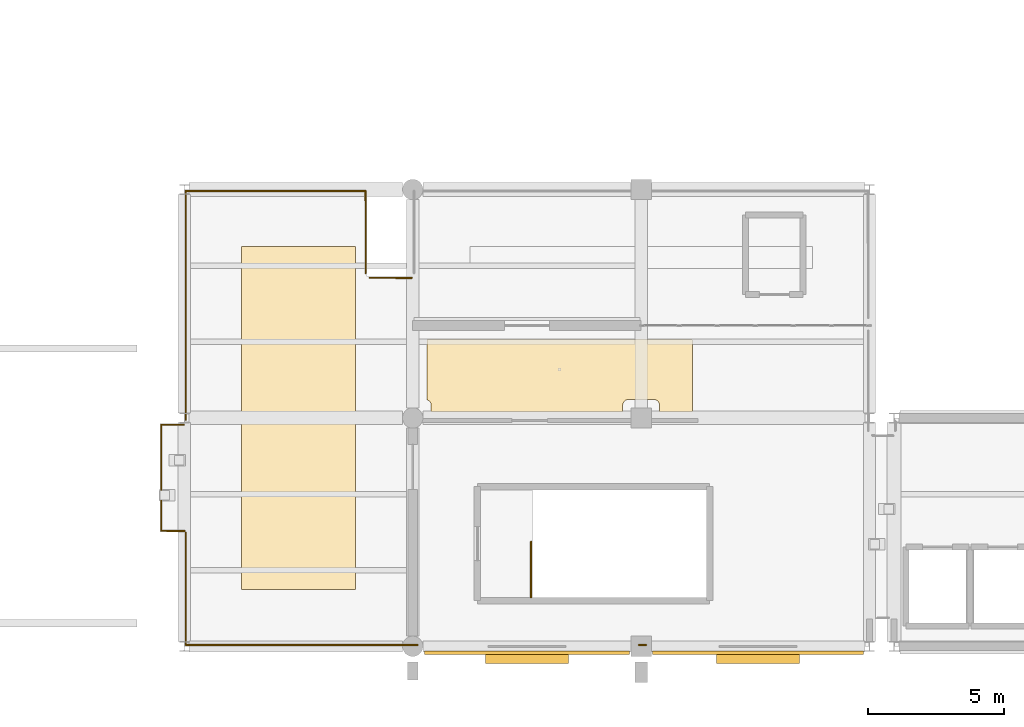
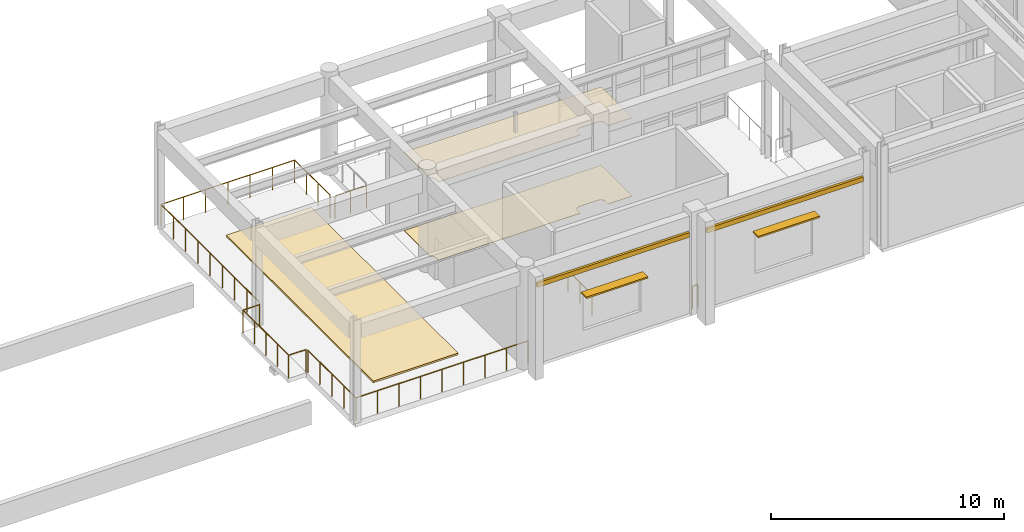
# One storey, part 72 of 80: 11 railings, 5 coverings, 2 shading devices.
"""IFC4 building model written with IfcOpenShell, lengths in metres."""

import ifcopenshell
import ifcopenshell.guid

model = None  # the IFC model being written
_history = None  # IfcOwnerHistory: only IFC2X3 demands one
_inside = {}  # id of a spatial element -> (the spatial element, [elements in it])
_under = {}  # id of a project, library or spatial element -> (it, [spatial elements below it])
_declared = {}  # id of a project -> (the project, [libraries it declares])
_typed = {}  # id of a type object -> (the type object, [elements of that type])
_made_of = {}  # id of a material, layer set ... -> (it, [elements and type objects made of it])


def new_model(schema):
    """Start an empty IFC model of exactly this schema.

    Asked for "IFC4X3", IfcOpenShell would pick the latest addendum, in which some entities
    have other attributes; the version numbers below select the first issue.
    IFC2X3 requires an IfcOwnerHistory on every rooted entity: one is made here for all.
    """
    global model, _history
    if schema == "IFC4X3":
        model = ifcopenshell.file(schema_version=(4, 3, 0, 0))
    else:
        model = ifcopenshell.file(schema=schema)
    _inside.clear()
    _under.clear()
    _declared.clear()
    _typed.clear()
    _made_of.clear()
    _history = None
    if model.schema == "IFC2X3":
        org = make("IfcOrganization", Name="unknown")
        user = make(
            "IfcPersonAndOrganization",
            ThePerson=make("IfcPerson", FamilyName="unknown"),
            TheOrganization=org,
        )
        app = make(
            "IfcApplication",
            ApplicationDeveloper=org,
            Version="unknown",
            ApplicationFullName="unknown",
            ApplicationIdentifier="unknown",
        )
        _history = make(
            "IfcOwnerHistory",
            OwningUser=user,
            OwningApplication=app,
            ChangeAction="ADDED",
            CreationDate=0,
        )
    return model


def make(cls, **values):
    """One entity of the class cls with the attributes given. An attribute that is None is left unset."""
    return model.create_entity(
        cls, **{name: value for name, value in values.items() if value is not None}
    )


def rooted(cls, **values):
    """An entity with a GlobalId (a new one), such as an element, a storey or a relation."""
    return make(cls, GlobalId=ifcopenshell.guid.new(), OwnerHistory=_history, **values)


def si_unit(unit_type, name, prefix=None):
    """IfcSIUnit, for example si_unit("LENGTHUNIT", "METRE", prefix="MILLI")."""
    return make("IfcSIUnit", UnitType=unit_type, Prefix=prefix, Name=name)


def assignment(units):
    """IfcUnitAssignment: the units of a project."""
    return None if units is None else make("IfcUnitAssignment", Units=units)


def point(xyz):
    """IfcCartesianPoint."""
    return None if xyz is None else make("IfcCartesianPoint", Coordinates=xyz)


def direction(xyz):
    """IfcDirection."""
    return None if xyz is None else make("IfcDirection", DirectionRatios=xyz)


def frame(location, z_axis=None, x_axis=None):
    """IfcAxis2Placement3D, a coordinate frame: its origin and axes. An axis left out is left unset."""
    return make(
        "IfcAxis2Placement3D",
        Location=point(location),
        Axis=direction(z_axis),
        RefDirection=direction(x_axis),
    )


def frame_2d(location, x_axis=None):
    """IfcAxis2Placement2D, a coordinate frame in the plane: its origin and x axis."""
    return make(
        "IfcAxis2Placement2D", Location=point(location), RefDirection=direction(x_axis)
    )


def origin():
    """The frame at (0, 0, 0) with its axes left unset."""
    return frame((0.0, 0.0, 0.0))


def origin_2d():
    """The frame at (0, 0) in the plane with its x axis left unset."""
    return frame_2d((0.0, 0.0))


def place(relative_to, where):
    """IfcLocalPlacement: puts the frame where relative to a parent placement (None: the world)."""
    return make(
        "IfcLocalPlacement", PlacementRelTo=relative_to, RelativePlacement=where
    )


def context(
    kind, dimensions, precision=None, world=None, true_north=None, identifier=None
):
    """IfcGeometricRepresentationContext, for example the 3D "Model" context."""
    return make(
        "IfcGeometricRepresentationContext",
        ContextIdentifier=identifier,
        ContextType=kind,
        CoordinateSpaceDimension=dimensions,
        Precision=precision,
        WorldCoordinateSystem=world,
        TrueNorth=true_north,
    )


def subcontext(parent, identifier, kind, view, scale=None):
    """IfcGeometricRepresentationSubContext, for example "Body" below "Model"."""
    return make(
        "IfcGeometricRepresentationSubContext",
        ContextIdentifier=identifier,
        ContextType=kind,
        ParentContext=parent,
        TargetScale=scale,
        TargetView=view,
    )


def project(units=None, contexts=None):
    """IfcProject with its units and contexts."""
    return rooted(
        "IfcProject",
        Name="project",
        RepresentationContexts=contexts,
        UnitsInContext=assignment(units),
    )


def spatial(cls, under=None, at=None, **own):
    """A site, building, storey or space (cls), placed at a placement, below another one or the project."""
    s = rooted(cls, ObjectPlacement=at, **own)
    if under is not None:
        _under.setdefault(under.id(), (under, []))[1].append(s)
    return s


def polyline(points):
    """IfcPolyline through the points."""
    return make("IfcPolyline", Points=[point(p) for p in points])


def profile(cls, at=None, kind="AREA", **sizes):
    """A parametric profile (cls). Its sizes go by their IFC names, for example OverallWidth=200.0."""
    return make(cls, ProfileType=kind, Position=at, **sizes)


def rectangle(**sizes):
    """IfcRectangleProfileDef."""
    return profile("IfcRectangleProfileDef", **sizes)


def circle(**sizes):
    """IfcCircleProfileDef."""
    return profile("IfcCircleProfileDef", **sizes)


def outline(outer, holes=None, kind="AREA"):
    """IfcArbitraryClosedProfileDef: a profile drawn as a closed curve; with holes, ...WithVoids."""
    if holes is None:
        return make("IfcArbitraryClosedProfileDef", ProfileType=kind, OuterCurve=outer)
    return make(
        "IfcArbitraryProfileDefWithVoids",
        ProfileType=kind,
        OuterCurve=outer,
        InnerCurves=holes,
    )


def extrude(swept, where, along, depth):
    """IfcExtrudedAreaSolid: the profile swept, set in the frame where, extruded along a direction by depth."""
    return make(
        "IfcExtrudedAreaSolid",
        SweptArea=swept,
        Position=where,
        ExtrudedDirection=direction(along),
        Depth=depth,
    )


def shape(context_of_items, identifier, shape_type, items):
    """IfcShapeRepresentation: the items that make up one representation, for example the "Body"."""
    return make(
        "IfcShapeRepresentation",
        ContextOfItems=context_of_items,
        RepresentationIdentifier=identifier,
        RepresentationType=shape_type,
        Items=items,
    )


def material(Name=None, Category=None):
    """IfcMaterial."""
    return make("IfcMaterial", Name=Name, Category=Category)


def layer(
    of_material, thickness, ventilated=None, Name=None, Category=None, Priority=None
):
    """IfcMaterialLayer: one layer of a wall or slab, of a material (None: an air gap)."""
    return make(
        "IfcMaterialLayer",
        Material=of_material,
        LayerThickness=thickness,
        IsVentilated=ventilated,
        Name=Name,
        Category=Category,
        Priority=Priority,
    )


def layer_set(layers, Name=None):
    """IfcMaterialLayerSet."""
    return make("IfcMaterialLayerSet", MaterialLayers=layers, LayerSetName=Name)


def made_of(thing, what):
    """Note that an element or type object is made of a material, layer set ...; save() writes the relation."""
    if what is not None:
        _made_of.setdefault(what.id(), (what, []))[1].append(thing)
    return thing


def type_object(cls, material=None, **own):
    """A type object (cls), such as IfcWallType, which elements share."""
    return made_of(rooted(cls, **own), material)


def element(
    cls,
    number,
    at=None,
    inside=None,
    cuts=None,
    type_object=None,
    material=None,
    context=None,
    identifier="Body",
    shape_type=None,
    held_by="IfcProductDefinitionShape",
    body=None,
    shapes=None,
    **own,
):
    """One element of the class cls, such as IfcWall. Its Tag is "e" and its number.

    at: its placement. inside: the storey or other place that contains it. cuts: it is an
    opening in that element (IfcRelVoidsElement). A single representation is given by context,
    identifier, shape_type and body (its items); several are given by shapes. held_by: the class
    of the entity that holds the representations. save() writes the other relations.
    """
    e = rooted(cls, Tag="e%d" % number, ObjectPlacement=at, **own)
    if body is not None:
        shapes = [shape(context, identifier, shape_type, body)]
    if shapes is not None:
        e.Representation = make(held_by, Representations=shapes)
    if inside is not None:
        _inside.setdefault(inside.id(), (inside, []))[1].append(e)
    if cuts is not None:
        rooted(
            "IfcRelVoidsElement", RelatingBuildingElement=cuts, RelatedOpeningElement=e
        )
    if type_object is not None:
        _typed.setdefault(type_object.id(), (type_object, []))[1].append(e)
    return made_of(e, material)


def aggregate(whole, parts):
    """IfcRelAggregates: a whole, such as a stair, and the parts it consists of."""
    return rooted("IfcRelAggregates", RelatingObject=whole, RelatedObjects=parts)


def save(model, path):
    """Write the relations noted so far, then the file.

    IfcRelAggregates (storeys below a building ...), IfcRelContainedInSpatialStructure (elements
    in a storey), IfcRelDefinesByType, IfcRelAssociatesMaterial and IfcRelDeclares: one each for
    every whole, place, type object, material and project.
    """
    for whole, parts in _under.values():
        aggregate(whole, parts)
    for where, things in _inside.values():
        rooted(
            "IfcRelContainedInSpatialStructure",
            RelatedElements=things,
            RelatingStructure=where,
        )
    for kind, things in _typed.values():
        rooted("IfcRelDefinesByType", RelatedObjects=things, RelatingType=kind)
    for what, things in _made_of.values():
        rooted("IfcRelAssociatesMaterial", RelatedObjects=things, RelatingMaterial=what)
    for by, libraries in _declared.values():
        rooted("IfcRelDeclares", RelatingContext=by, RelatedDefinitions=libraries)
    model.write(path)


model = new_model("IFC4")

# Units and contexts
model_context = context("Model", 3, precision=1e-05, world=origin(), true_north=direction((0.0, 1.0)))
body_context = subcontext(model_context, "Body", "Model", "MODEL_VIEW")
ifc_project = project(units=[si_unit("LENGTHUNIT", "METRE"), si_unit("AREAUNIT", "SQUARE_METRE"), si_unit("VOLUMEUNIT", "CUBIC_METRE"), si_unit("PLANEANGLEUNIT", "RADIAN"), si_unit("MASSUNIT", "GRAM", prefix="KILO")], contexts=[model_context])

# Site, building, storey
site_placement = place(None, origin())
site = spatial("IfcSite", under=ifc_project, at=site_placement, CompositionType="ELEMENT")
building_placement = place(site_placement, origin())
building = spatial("IfcBuilding", under=site, at=building_placement, Name="Canglan Escarpment Cableway Terminal", CompositionType="ELEMENT")
storey_placement = place(building_placement, frame((0.0, 0.0, 19.199951171875)))
storey = spatial("IfcBuildingStorey", under=building, at=storey_placement, Name="L04", CompositionType="ELEMENT", Elevation=19.199951171875)

# Coverings
ifc_material_1 = material(Name="Micro-perforated acoustic aluminium ceiling", Category="aluminium")
ifc_layer_1 = layer(ifc_material_1, 0.0400390625, Name="Micro-perforated acoustic aluminium ceiling")
ifc_layer_set_1 = layer_set([ifc_layer_1], Name="Micro-perforated acoustic aluminium ceiling")
covering_type_1 = type_object("IfcCoveringType", Name="COV-CEIL-ACOUSTIC-40", PredefinedType="CEILING", material=ifc_layer_set_1)
covering_1_placement = place(storey_placement, frame((0.0, 0.0, 4.090087890625)))
element("IfcCovering", 1, at=covering_1_placement, inside=storey, type_object=covering_type_1, Name="VIP Mountain Club Lounge suspended acoustic ceiling", PredefinedType="CEILING", context=body_context, shape_type="SweptSolid", body=[
    extrude(outline(polyline([(120.433349609375, 17.067138671875), (120.431396484375, 17.06787109375), (120.4296875, 17.06884765625), (120.42822265625, 17.06982421875), (120.4267578125, 17.071044921875), (120.42529296875, 17.072265625), (120.42431640625, 17.07373046875), (120.423095703125, 17.0751953125), (120.422119140625, 17.076904296875), (120.42138671875, 17.07861328125), (120.4208984375, 17.080322265625), (120.42041015625, 17.082275390625), (120.420166015625, 17.083984375), (120.419921875, 17.0859375), (120.419921875, 19.260009765625), (120.420166015625, 19.261962890625), (120.42041015625, 19.263916015625), (120.4208984375, 19.265869140625), (120.42138671875, 19.267578125), (120.42236328125, 19.269287109375), (120.42333984375, 19.27099609375), (120.424560546875, 19.272705078125), (120.42578125, 19.274169921875), (120.42724609375, 19.275390625), (120.428955078125, 19.276611328125), (120.4306640625, 19.277587890625), (120.432373046875, 19.278564453125), (120.43408203125, 19.279052734375), (120.43603515625, 19.279541015625), (120.43798828125, 19.27978515625), (120.43994140625, 19.280029296875), (130.159912109375, 19.280029296875), (130.162109375, 19.27978515625), (130.163818359375, 19.279541015625), (130.165771484375, 19.279052734375), (130.167724609375, 19.278564453125), (130.16943359375, 19.277587890625), (130.171142578125, 19.276611328125), (130.172607421875, 19.275390625), (130.174072265625, 19.274169921875), (130.175537109375, 19.272705078125), (130.176513671875, 19.27099609375), (130.177490234375, 19.269287109375), (130.178466796875, 19.267578125), (130.17919921875, 19.265869140625), (130.1796875, 19.263916015625), (130.179931640625, 19.261962890625), (130.179931640625, 19.260009765625), (130.179931640625, 16.639892578125), (130.179931640625, 16.637939453125), (130.1796875, 16.635986328125), (130.17919921875, 16.63427734375), (130.178466796875, 16.63232421875), (130.177490234375, 16.630615234375), (130.176513671875, 16.62890625), (130.175537109375, 16.627197265625), (130.174072265625, 16.6259765625), (130.172607421875, 16.62451171875), (130.171142578125, 16.623291015625), (130.16943359375, 16.622314453125), (130.167724609375, 16.62158203125), (130.165771484375, 16.620849609375), (130.163818359375, 16.620361328125), (130.162109375, 16.6201171875), (130.159912109375, 16.6201171875), (129.0, 16.6201171875), (128.998046875, 16.6201171875), (128.99609375, 16.620361328125), (128.994140625, 16.620849609375), (128.9921875, 16.62158203125), (128.990478515625, 16.622314453125), (128.989013671875, 16.623291015625), (128.9873046875, 16.62451171875), (128.98583984375, 16.6259765625), (128.984619140625, 16.627197265625), (128.9833984375, 16.62890625), (128.982421875, 16.630615234375), (128.9814453125, 16.63232421875), (128.98095703125, 16.63427734375), (128.98046875, 16.635986328125), (128.97998046875, 16.637939453125), (128.97998046875, 16.639892578125), (128.97998046875, 16.85986328125), (128.97998046875, 16.860107421875), (128.97900390625, 16.881103515625), (128.97900390625, 16.882080078125), (128.975830078125, 16.90234375), (128.9755859375, 16.9033203125), (128.970703125, 16.92333984375), (128.970458984375, 16.92431640625), (128.96337890625, 16.943603515625), (128.962890625, 16.944580078125), (128.9541015625, 16.96337890625), (128.953857421875, 16.964111328125), (128.943115234375, 16.981689453125), (128.942626953125, 16.982666015625), (128.930419921875, 16.999267578125), (128.9296875, 17.0), (128.916015625, 17.01513671875), (128.915283203125, 17.015869140625), (128.89990234375, 17.02978515625), (128.899169921875, 17.030517578125), (128.882568359375, 17.04248046875), (128.8818359375, 17.043212890625), (128.864013671875, 17.0537109375), (128.86328125, 17.05419921875), (128.844482421875, 17.06298828125), (128.84375, 17.0634765625), (128.82421875, 17.0703125), (128.823486328125, 17.070556640625), (128.803466796875, 17.07568359375), (128.802490234375, 17.07568359375), (128.781982421875, 17.078857421875), (128.781005859375, 17.0791015625), (128.76025390625, 17.080078125), (128.759765625, 17.080078125), (127.840087890625, 17.080078125), (127.83984375, 17.080078125), (127.81884765625, 17.0791015625), (127.818115234375, 17.078857421875), (127.797607421875, 17.07568359375), (127.796630859375, 17.07568359375), (127.776611328125, 17.070556640625), (127.775634765625, 17.0703125), (127.75634765625, 17.0634765625), (127.75537109375, 17.06298828125), (127.73681640625, 17.05419921875), (127.73583984375, 17.0537109375), (127.71826171875, 17.043212890625), (127.71728515625, 17.04248046875), (127.70068359375, 17.030517578125), (127.7001953125, 17.02978515625), (127.684814453125, 17.015869140625), (127.68408203125, 17.01513671875), (127.67041015625, 17.0), (127.669677734375, 16.999267578125), (127.657470703125, 16.982666015625), (127.65673828125, 16.981689453125), (127.646240234375, 16.964111328125), (127.645751953125, 16.96337890625), (127.636962890625, 16.944580078125), (127.63671875, 16.943603515625), (127.629638671875, 16.92431640625), (127.62939453125, 16.92333984375), (127.624267578125, 16.9033203125), (127.624267578125, 16.90234375), (127.62109375, 16.882080078125), (127.62109375, 16.881103515625), (127.6201171875, 16.860107421875), (127.6201171875, 16.85986328125), (127.6201171875, 16.639892578125), (127.619873046875, 16.637939453125), (127.61962890625, 16.635986328125), (127.619140625, 16.63427734375), (127.618408203125, 16.63232421875), (127.61767578125, 16.630615234375), (127.61669921875, 16.62890625), (127.615478515625, 16.627197265625), (127.614013671875, 16.6259765625), (127.61279296875, 16.62451171875), (127.611083984375, 16.623291015625), (127.609375, 16.622314453125), (127.607666015625, 16.62158203125), (127.605712890625, 16.620849609375), (127.60400390625, 16.620361328125), (127.60205078125, 16.6201171875), (127.60009765625, 16.6201171875), (120.60009765625, 16.6201171875), (120.597900390625, 16.6201171875), (120.59619140625, 16.620361328125), (120.59423828125, 16.620849609375), (120.59228515625, 16.62158203125), (120.590576171875, 16.622314453125), (120.5888671875, 16.623291015625), (120.58740234375, 16.62451171875), (120.5859375, 16.6259765625), (120.58447265625, 16.627197265625), (120.58349609375, 16.62890625), (120.58251953125, 16.630615234375), (120.58154296875, 16.63232421875), (120.580810546875, 16.63427734375), (120.580322265625, 16.635986328125), (120.580078125, 16.637939453125), (120.580078125, 16.639892578125), (120.580078125, 16.85986328125), (120.580078125, 16.860107421875), (120.5791015625, 16.881103515625), (120.578857421875, 16.882080078125), (120.57568359375, 16.90234375), (120.57568359375, 16.9033203125), (120.570556640625, 16.92333984375), (120.5703125, 16.92431640625), (120.5634765625, 16.943603515625), (120.56298828125, 16.944580078125), (120.55419921875, 16.96337890625), (120.5537109375, 16.964111328125), (120.543212890625, 16.981689453125), (120.54248046875, 16.982666015625), (120.530517578125, 16.999267578125), (120.52978515625, 17.0), (120.515869140625, 17.01513671875), (120.51513671875, 17.015869140625), (120.5, 17.02978515625), (120.499267578125, 17.030517578125), (120.482666015625, 17.04248046875), (120.481689453125, 17.043212890625), (120.464111328125, 17.0537109375), (120.46337890625, 17.05419921875), (120.444580078125, 17.06298828125), (120.443603515625, 17.0634765625), (120.433349609375, 17.067138671875)])), origin(), (0.0, 0.0, 1.0), 0.0400390625),
])
ifc_material_2 = material(Name="Carved classical limestone cornice", Category="masonry")
ifc_layer_2 = layer(ifc_material_2, 0.1201171875, Name="Carved classical limestone cornice")
ifc_layer_set_2 = layer_set([ifc_layer_2], Name="Carved classical limestone cornice")
covering_type_2 = type_object("IfcCoveringType", Name="COV-CORNICE-STONE", PredefinedType="CLADDING", material=ifc_layer_set_2)
covering_2_placement = place(storey_placement, frame((124.10009765625, 7.760009765625, 4.0849609375), z_axis=(0.0, 0.0, 1.0), x_axis=(1.0, 0.0, 0.0)))
element("IfcCovering", 2, at=covering_2_placement, inside=storey, type_object=covering_type_2, Name="Classical carved limestone cornice CL-01", PredefinedType="CLADDING", context=body_context, shape_type="SweptSolid", body=[
    extrude(rectangle(XDim=7.550048828125, YDim=0.1201171875, at=origin_2d()), origin(), (0.0, 0.0, 1.0), 0.239990234375),
])
covering_3_placement = place(storey_placement, frame((132.60009765625, 7.760009765625, 3.98486328125), z_axis=(0.0, 0.0, 1.0), x_axis=(1.0, 0.0, 0.0)))
element("IfcCovering", 3, at=covering_3_placement, inside=storey, type_object=covering_type_2, Name="Classical carved limestone cornice CL-01", PredefinedType="CLADDING", context=body_context, shape_type="SweptSolid", body=[
    extrude(rectangle(XDim=7.75, YDim=0.1201171875, at=origin_2d()), origin(), (0.0, 0.0, 1.0), 0.239990234375),
])
ifc_material_3 = material(Name="Polished mineral terrazzo flooring", Category="concrete")
ifc_layer_3 = layer(ifc_material_3, 0.02001953125, Name="Polished mineral terrazzo flooring")
ifc_layer_set_3 = layer_set([ifc_layer_3], Name="Polished mineral terrazzo flooring")
covering_type_3 = type_object("IfcCoveringType", Name="COV-FLR-TERRAZZO-20", PredefinedType="FLOORING", material=ifc_layer_set_3)
covering_4_placement = place(storey_placement, origin())
element("IfcCovering", 4, at=covering_4_placement, inside=storey, type_object=covering_type_3, Name="VIP Mountain Club Lounge stone floor finish", PredefinedType="FLOORING", context=body_context, shape_type="SweptSolid", body=[
    extrude(outline(polyline([(120.433349609375, 17.067138671875), (120.431396484375, 17.06787109375), (120.4296875, 17.06884765625), (120.42822265625, 17.06982421875), (120.4267578125, 17.071044921875), (120.42529296875, 17.072265625), (120.42431640625, 17.07373046875), (120.423095703125, 17.0751953125), (120.422119140625, 17.076904296875), (120.42138671875, 17.07861328125), (120.4208984375, 17.080322265625), (120.42041015625, 17.082275390625), (120.420166015625, 17.083984375), (120.419921875, 17.0859375), (120.419921875, 19.260009765625), (120.420166015625, 19.261962890625), (120.42041015625, 19.263916015625), (120.4208984375, 19.265869140625), (120.42138671875, 19.267578125), (120.42236328125, 19.269287109375), (120.42333984375, 19.27099609375), (120.424560546875, 19.272705078125), (120.42578125, 19.274169921875), (120.42724609375, 19.275390625), (120.428955078125, 19.276611328125), (120.4306640625, 19.277587890625), (120.432373046875, 19.278564453125), (120.43408203125, 19.279052734375), (120.43603515625, 19.279541015625), (120.43798828125, 19.27978515625), (120.43994140625, 19.280029296875), (130.159912109375, 19.280029296875), (130.162109375, 19.27978515625), (130.163818359375, 19.279541015625), (130.165771484375, 19.279052734375), (130.167724609375, 19.278564453125), (130.16943359375, 19.277587890625), (130.171142578125, 19.276611328125), (130.172607421875, 19.275390625), (130.174072265625, 19.274169921875), (130.175537109375, 19.272705078125), (130.176513671875, 19.27099609375), (130.177490234375, 19.269287109375), (130.178466796875, 19.267578125), (130.17919921875, 19.265869140625), (130.1796875, 19.263916015625), (130.179931640625, 19.261962890625), (130.179931640625, 19.260009765625), (130.179931640625, 16.639892578125), (130.179931640625, 16.637939453125), (130.1796875, 16.635986328125), (130.17919921875, 16.63427734375), (130.178466796875, 16.63232421875), (130.177490234375, 16.630615234375), (130.176513671875, 16.62890625), (130.175537109375, 16.627197265625), (130.174072265625, 16.6259765625), (130.172607421875, 16.62451171875), (130.171142578125, 16.623291015625), (130.16943359375, 16.622314453125), (130.167724609375, 16.62158203125), (130.165771484375, 16.620849609375), (130.163818359375, 16.620361328125), (130.162109375, 16.6201171875), (130.159912109375, 16.6201171875), (129.0, 16.6201171875), (128.998046875, 16.6201171875), (128.99609375, 16.620361328125), (128.994140625, 16.620849609375), (128.9921875, 16.62158203125), (128.990478515625, 16.622314453125), (128.989013671875, 16.623291015625), (128.9873046875, 16.62451171875), (128.98583984375, 16.6259765625), (128.984619140625, 16.627197265625), (128.9833984375, 16.62890625), (128.982421875, 16.630615234375), (128.9814453125, 16.63232421875), (128.98095703125, 16.63427734375), (128.98046875, 16.635986328125), (128.97998046875, 16.637939453125), (128.97998046875, 16.639892578125), (128.97998046875, 16.85986328125), (128.97998046875, 16.860107421875), (128.97900390625, 16.881103515625), (128.97900390625, 16.882080078125), (128.975830078125, 16.90234375), (128.9755859375, 16.9033203125), (128.970703125, 16.92333984375), (128.970458984375, 16.92431640625), (128.96337890625, 16.943603515625), (128.962890625, 16.944580078125), (128.9541015625, 16.96337890625), (128.953857421875, 16.964111328125), (128.943115234375, 16.981689453125), (128.942626953125, 16.982666015625), (128.930419921875, 16.999267578125), (128.9296875, 17.0), (128.916015625, 17.01513671875), (128.915283203125, 17.015869140625), (128.89990234375, 17.02978515625), (128.899169921875, 17.030517578125), (128.882568359375, 17.04248046875), (128.8818359375, 17.043212890625), (128.864013671875, 17.0537109375), (128.86328125, 17.05419921875), (128.844482421875, 17.06298828125), (128.84375, 17.0634765625), (128.82421875, 17.0703125), (128.823486328125, 17.070556640625), (128.803466796875, 17.07568359375), (128.802490234375, 17.07568359375), (128.781982421875, 17.078857421875), (128.781005859375, 17.0791015625), (128.76025390625, 17.080078125), (128.759765625, 17.080078125), (127.840087890625, 17.080078125), (127.83984375, 17.080078125), (127.81884765625, 17.0791015625), (127.818115234375, 17.078857421875), (127.797607421875, 17.07568359375), (127.796630859375, 17.07568359375), (127.776611328125, 17.070556640625), (127.775634765625, 17.0703125), (127.75634765625, 17.0634765625), (127.75537109375, 17.06298828125), (127.73681640625, 17.05419921875), (127.73583984375, 17.0537109375), (127.71826171875, 17.043212890625), (127.71728515625, 17.04248046875), (127.70068359375, 17.030517578125), (127.7001953125, 17.02978515625), (127.684814453125, 17.015869140625), (127.68408203125, 17.01513671875), (127.67041015625, 17.0), (127.669677734375, 16.999267578125), (127.657470703125, 16.982666015625), (127.65673828125, 16.981689453125), (127.646240234375, 16.964111328125), (127.645751953125, 16.96337890625), (127.636962890625, 16.944580078125), (127.63671875, 16.943603515625), (127.629638671875, 16.92431640625), (127.62939453125, 16.92333984375), (127.624267578125, 16.9033203125), (127.624267578125, 16.90234375), (127.62109375, 16.882080078125), (127.62109375, 16.881103515625), (127.6201171875, 16.860107421875), (127.6201171875, 16.85986328125), (127.6201171875, 16.639892578125), (127.619873046875, 16.637939453125), (127.61962890625, 16.635986328125), (127.619140625, 16.63427734375), (127.618408203125, 16.63232421875), (127.61767578125, 16.630615234375), (127.61669921875, 16.62890625), (127.615478515625, 16.627197265625), (127.614013671875, 16.6259765625), (127.61279296875, 16.62451171875), (127.611083984375, 16.623291015625), (127.609375, 16.622314453125), (127.607666015625, 16.62158203125), (127.605712890625, 16.620849609375), (127.60400390625, 16.620361328125), (127.60205078125, 16.6201171875), (127.60009765625, 16.6201171875), (120.60009765625, 16.6201171875), (120.597900390625, 16.6201171875), (120.59619140625, 16.620361328125), (120.59423828125, 16.620849609375), (120.59228515625, 16.62158203125), (120.590576171875, 16.622314453125), (120.5888671875, 16.623291015625), (120.58740234375, 16.62451171875), (120.5859375, 16.6259765625), (120.58447265625, 16.627197265625), (120.58349609375, 16.62890625), (120.58251953125, 16.630615234375), (120.58154296875, 16.63232421875), (120.580810546875, 16.63427734375), (120.580322265625, 16.635986328125), (120.580078125, 16.637939453125), (120.580078125, 16.639892578125), (120.580078125, 16.85986328125), (120.580078125, 16.860107421875), (120.5791015625, 16.881103515625), (120.578857421875, 16.882080078125), (120.57568359375, 16.90234375), (120.57568359375, 16.9033203125), (120.570556640625, 16.92333984375), (120.5703125, 16.92431640625), (120.5634765625, 16.943603515625), (120.56298828125, 16.944580078125), (120.55419921875, 16.96337890625), (120.5537109375, 16.964111328125), (120.543212890625, 16.981689453125), (120.54248046875, 16.982666015625), (120.530517578125, 16.999267578125), (120.52978515625, 17.0), (120.515869140625, 17.01513671875), (120.51513671875, 17.015869140625), (120.5, 17.02978515625), (120.499267578125, 17.030517578125), (120.482666015625, 17.04248046875), (120.481689453125, 17.043212890625), (120.464111328125, 17.0537109375), (120.46337890625, 17.05419921875), (120.444580078125, 17.06298828125), (120.443603515625, 17.0634765625), (120.433349609375, 17.067138671875)])), origin(), (0.0, 0.0, 1.0), 0.02001953125),
])
ifc_material_4 = material(Name="Planted extensive sedum green roof assembly", Category="earth")
ifc_layer_4 = layer(ifc_material_4, 0.090087890625, Name="Planted extensive sedum green roof assembly")
ifc_layer_set_4 = layer_set([ifc_layer_4], Name="Planted extensive sedum green roof assembly")
covering_type_4 = type_object("IfcCoveringType", Name="COV-ROOF-GREEN", PredefinedType="ROOFING", material=ifc_layer_set_4)
covering_5_placement = place(storey_placement, frame((115.699951171875, 16.39990234375, 0.0), z_axis=(0.0, 0.0, 1.0), x_axis=(1.0, 0.0, 0.0)))
element("IfcCovering", 5, at=covering_5_placement, inside=storey, type_object=covering_type_4, Name="Planted extensive sedum green roof garden RF-G1", PredefinedType="ROOFING", context=body_context, shape_type="SweptSolid", body=[
    extrude(rectangle(XDim=4.199951171875, YDim=12.60009765625, at=origin_2d()), origin(), (0.0, 0.0, 1.0), 0.090087890625),
])

# Railings
ifc_material_5 = material(Name="Carved limestone and anodized bronze balustrade", Category="masonry")
railing_type_1 = type_object("IfcRailingType", Name="RL-EXT-BALUSTRADE-1200", PredefinedType="BALUSTRADE", material=ifc_material_5)
railing_1_placement = place(storey_placement, frame((110.650146484375, 12.25, 0.0)))
element("IfcRailing", 6, at=railing_1_placement, inside=storey, type_object=railing_type_1, Name="Classical terrace balustrade guard GD-01 (L04)", PredefinedType="BALUSTRADE", context=body_context, shape_type="SweptSolid", body=[
    extrude(circle(Radius=0.02392578125, at=origin_2d()), frame((0.0, 0.0, 1.17578125), z_axis=(-6.2633095e-05, 0.999999998039, 0.0), x_axis=(-0.999999998039, -6.2633095e-05, 0.0)), (0.0, 0.0, 1.0), 3.89794921875),
    extrude(circle(Radius=0.02099609375, at=origin_2d()), origin(), (0.0, 0.0, 1.0), 1.15185546875),
    extrude(circle(Radius=0.02099609375, at=origin_2d()), frame((0.0, 0.974609375, 0.0)), (0.0, 0.0, 1.0), 1.15185546875),
    extrude(circle(Radius=0.02099609375, at=origin_2d()), frame((0.0, 1.948974609375, 0.0)), (0.0, 0.0, 1.0), 1.15185546875),
    extrude(circle(Radius=0.02099609375, at=origin_2d()), frame((-0.000244140625, 2.92333984375, 0.0)), (0.0, 0.0, 1.0), 1.15185546875),
    extrude(circle(Radius=0.02099609375, at=origin_2d()), frame((-0.000244140625, 3.89794921875, 0.0)), (0.0, 0.0, 1.0), 1.15185546875),
])
railing_2_placement = place(storey_placement, frame((110.64990234375, 16.14794921875, 0.0)))
element("IfcRailing", 7, at=railing_2_placement, inside=storey, type_object=railing_type_1, Name="Classical terrace balustrade guard GD-01 (L04)", PredefinedType="BALUSTRADE", context=body_context, shape_type="SweptSolid", body=[
    extrude(circle(Radius=0.02392578125, at=origin_2d()), frame((0.0, 0.0, 1.17578125), z_axis=(0.999997163857, 0.002381654454, 0.0), x_axis=(-0.002381654454, 0.999997163857, 0.0)), (0.0, 0.0, 1.0), 0.820068359375),
    extrude(circle(Radius=0.02099609375, at=origin_2d()), origin(), (0.0, 0.0, 1.0), 1.15185546875),
    extrude(circle(Radius=0.02099609375, at=origin_2d()), frame((0.820068359375, 0.001953125, 0.0)), (0.0, 0.0, 1.0), 1.15185546875),
])
railing_3_placement = place(storey_placement, frame((111.550048828125, 16.330078125, 0.0)))
element("IfcRailing", 8, at=railing_3_placement, inside=storey, type_object=railing_type_1, Name="Classical terrace balustrade guard GD-01 (L04)", PredefinedType="BALUSTRADE", context=body_context, shape_type="SweptSolid", body=[
    extrude(circle(Radius=0.02392578125, at=origin_2d()), frame((0.0, 0.0, 1.17578125), z_axis=(0.0, 1.0, 0.0), x_axis=(-1.0, 0.0, 0.0)), (0.0, 0.0, 1.0), 8.41796875),
    extrude(circle(Radius=0.02099609375, at=origin_2d()), origin(), (0.0, 0.0, 1.0), 1.15185546875),
    extrude(circle(Radius=0.02099609375, at=origin_2d()), frame((0.0, 1.05224609375, 0.0)), (0.0, 0.0, 1.0), 1.15185546875),
    extrude(circle(Radius=0.02099609375, at=origin_2d()), frame((0.0, 2.1044921875, 0.0)), (0.0, 0.0, 1.0), 1.15185546875),
    extrude(circle(Radius=0.02099609375, at=origin_2d()), frame((0.0, 3.15673828125, 0.0)), (0.0, 0.0, 1.0), 1.15185546875),
    extrude(circle(Radius=0.02099609375, at=origin_2d()), frame((0.0, 4.208984375, 0.0)), (0.0, 0.0, 1.0), 1.15185546875),
    extrude(circle(Radius=0.02099609375, at=origin_2d()), frame((0.0, 5.26123046875, 0.0)), (0.0, 0.0, 1.0), 1.15185546875),
    extrude(circle(Radius=0.02099609375, at=origin_2d()), frame((0.0, 6.3134765625, 0.0)), (0.0, 0.0, 1.0), 1.15185546875),
    extrude(circle(Radius=0.02099609375, at=origin_2d()), frame((0.0, 7.36572265625, 0.0)), (0.0, 0.0, 1.0), 1.15185546875),
    extrude(circle(Radius=0.02099609375, at=origin_2d()), frame((0.0, 8.41796875, 0.0)), (0.0, 0.0, 1.0), 1.15185546875),
])
railing_4_placement = place(storey_placement, frame((111.550048828125, 24.748046875, 0.0)))
element("IfcRailing", 9, at=railing_4_placement, inside=storey, type_object=railing_type_1, Name="Classical terrace balustrade guard GD-01 (L04)", PredefinedType="BALUSTRADE", context=body_context, shape_type="SweptSolid", body=[
    extrude(circle(Radius=0.02392578125, at=origin_2d()), frame((0.0, 0.0, 1.17578125), z_axis=(0.99999995645, 0.000295126707, 0.0), x_axis=(-0.000295126707, 0.99999995645, 0.0)), (0.0, 0.0, 1.0), 6.617919921875),
    extrude(circle(Radius=0.02099609375, at=origin_2d()), origin(), (0.0, 0.0, 1.0), 1.15185546875),
    extrude(circle(Radius=0.02099609375, at=origin_2d()), frame((1.10302734375, 0.000244140625, 0.0)), (0.0, 0.0, 1.0), 1.15185546875),
    extrude(circle(Radius=0.02099609375, at=origin_2d()), frame((2.2060546875, 0.000732421875, 0.0)), (0.0, 0.0, 1.0), 1.15185546875),
    extrude(circle(Radius=0.02099609375, at=origin_2d()), frame((3.30908203125, 0.0009765625, 0.0)), (0.0, 0.0, 1.0), 1.15185546875),
    extrude(circle(Radius=0.02099609375, at=origin_2d()), frame((4.411865234375, 0.001220703125, 0.0)), (0.0, 0.0, 1.0), 1.15185546875),
    extrude(circle(Radius=0.02099609375, at=origin_2d()), frame((5.514892578125, 0.001708984375, 0.0)), (0.0, 0.0, 1.0), 1.15185546875),
    extrude(circle(Radius=0.02099609375, at=origin_2d()), frame((6.617919921875, 0.001953125, 0.0)), (0.0, 0.0, 1.0), 1.15185546875),
])
railing_5_placement = place(storey_placement, frame((118.16796875, 24.75, 0.0)))
element("IfcRailing", 10, at=railing_5_placement, inside=storey, type_object=railing_type_1, Name="Classical terrace balustrade guard GD-01 (L04)", PredefinedType="BALUSTRADE", context=body_context, shape_type="SweptSolid", body=[
    extrude(circle(Radius=0.02392578125, at=origin_2d()), frame((0.0, 0.0, 1.17578125), z_axis=(0.000646725815, -0.999999790873, 0.0), x_axis=(0.999999790873, 0.000646725815, 0.0)), (0.0, 0.0, 1.0), 3.02001953125),
    extrude(circle(Radius=0.02099609375, at=origin_2d()), origin(), (0.0, 0.0, 1.0), 1.15185546875),
    extrude(circle(Radius=0.02099609375, at=origin_2d()), frame((0.000732421875, -1.006591796875, 0.0)), (0.0, 0.0, 1.0), 1.15185546875),
    extrude(circle(Radius=0.02099609375, at=origin_2d()), frame((0.001220703125, -2.013427734375, 0.0)), (0.0, 0.0, 1.0), 1.15185546875),
    extrude(circle(Radius=0.02099609375, at=origin_2d()), frame((0.001953125, -3.02001953125, 0.0)), (0.0, 0.0, 1.0), 1.15185546875),
])
railing_6_placement = place(storey_placement, frame((118.3193359375, 21.55615234375, 0.0)))
element("IfcRailing", 11, at=railing_6_placement, inside=storey, type_object=railing_type_1, Name="Classical terrace balustrade guard GD-01 (L04)", PredefinedType="BALUSTRADE", context=body_context, shape_type="SweptSolid", body=[
    extrude(circle(Radius=0.02392578125, at=origin_2d()), frame((0.0, 0.0, 1.17578125), z_axis=(0.999992254954, -0.003935737779, 0.0), x_axis=(0.003935737779, 0.999992254954, 0.0)), (0.0, 0.0, 1.0), 1.55078125),
    extrude(circle(Radius=0.02099609375, at=origin_2d()), origin(), (0.0, 0.0, 1.0), 1.15185546875),
    extrude(circle(Radius=0.02099609375, at=origin_2d()), frame((0.775390625, -0.0029296875, 0.0)), (0.0, 0.0, 1.0), 1.15185546875),
    extrude(circle(Radius=0.02099609375, at=origin_2d()), frame((1.55078125, -0.006103515625, 0.0)), (0.0, 0.0, 1.0), 1.15185546875),
])
railing_7_placement = place(storey_placement, frame((128.485107421875, 8.050048828125, 0.0)))
element("IfcRailing", 12, at=railing_7_placement, inside=storey, type_object=railing_type_1, Name="Classical terrace balustrade guard GD-01 (L04)", PredefinedType="BALUSTRADE", context=body_context, shape_type="SweptSolid", body=[
    extrude(circle(Radius=0.02392578125, at=origin_2d()), frame((0.0, 0.0, 1.17578125), z_axis=(-1.0, 0.0, 0.0), x_axis=(0.0, -1.0, 0.0)), (0.0, 0.0, 1.0), 0.27001953125),
    extrude(circle(Radius=0.02099609375, at=origin_2d()), origin(), (0.0, 0.0, 1.0), 1.15185546875),
    extrude(circle(Radius=0.02099609375, at=origin_2d()), frame((-0.27001953125, 0.0, 0.0)), (0.0, 0.0, 1.0), 1.15185546875),
])
railing_8_placement = place(storey_placement, frame((120.0849609375, 8.050048828125, 0.0)))
element("IfcRailing", 13, at=railing_8_placement, inside=storey, type_object=railing_type_1, Name="Classical terrace balustrade guard GD-01 (L04)", PredefinedType="BALUSTRADE", context=body_context, shape_type="SweptSolid", body=[
    extrude(circle(Radius=0.02392578125, at=origin_2d()), frame((0.0, 0.0, 1.17578125), z_axis=(-1.0, 0.0, 0.0), x_axis=(0.0, -1.0, 0.0)), (0.0, 0.0, 1.0), 8.532958984375),
    extrude(circle(Radius=0.02099609375, at=origin_2d()), origin(), (0.0, 0.0, 1.0), 1.15185546875),
    extrude(circle(Radius=0.02099609375, at=origin_2d()), frame((-1.066650390625, 0.0, 0.0)), (0.0, 0.0, 1.0), 1.15185546875),
    extrude(circle(Radius=0.02099609375, at=origin_2d()), frame((-2.13330078125, 0.0, 0.0)), (0.0, 0.0, 1.0), 1.15185546875),
    extrude(circle(Radius=0.02099609375, at=origin_2d()), frame((-3.199951171875, 0.0, 0.0)), (0.0, 0.0, 1.0), 1.15185546875),
    extrude(circle(Radius=0.02099609375, at=origin_2d()), frame((-4.2666015625, 0.0, 0.0)), (0.0, 0.0, 1.0), 1.15185546875),
    extrude(circle(Radius=0.02099609375, at=origin_2d()), frame((-5.3330078125, 0.0, 0.0)), (0.0, 0.0, 1.0), 1.15185546875),
    extrude(circle(Radius=0.02099609375, at=origin_2d()), frame((-6.399658203125, 0.0, 0.0)), (0.0, 0.0, 1.0), 1.15185546875),
    extrude(circle(Radius=0.02099609375, at=origin_2d()), frame((-7.46630859375, 0.0, 0.0)), (0.0, 0.0, 1.0), 1.15185546875),
    extrude(circle(Radius=0.02099609375, at=origin_2d()), frame((-8.532958984375, 0.0, 0.0)), (0.0, 0.0, 1.0), 1.15185546875),
])
railing_9_placement = place(storey_placement, frame((111.552001953125, 8.050048828125, 0.0)))
element("IfcRailing", 14, at=railing_9_placement, inside=storey, type_object=railing_type_1, Name="Classical terrace balustrade guard GD-01 (L04)", PredefinedType="BALUSTRADE", context=body_context, shape_type="SweptSolid", body=[
    extrude(circle(Radius=0.02392578125, at=origin_2d()), frame((0.0, 0.0, 1.17578125), z_axis=(-0.000474074021, 0.999999887627, 0.0), x_axis=(-0.999999887627, -0.000474074021, 0.0)), (0.0, 0.0, 1.0), 4.119873046875),
    extrude(circle(Radius=0.02099609375, at=origin_2d()), origin(), (0.0, 0.0, 1.0), 1.15185546875),
    extrude(circle(Radius=0.02099609375, at=origin_2d()), frame((-0.00048828125, 1.030029296875, 0.0)), (0.0, 0.0, 1.0), 1.15185546875),
    extrude(circle(Radius=0.02099609375, at=origin_2d()), frame((-0.0009765625, 2.06005859375, 0.0)), (0.0, 0.0, 1.0), 1.15185546875),
    extrude(circle(Radius=0.02099609375, at=origin_2d()), frame((-0.00146484375, 3.08984375, 0.0)), (0.0, 0.0, 1.0), 1.15185546875),
    extrude(circle(Radius=0.02099609375, at=origin_2d()), frame((-0.001953125, 4.119873046875, 0.0)), (0.0, 0.0, 1.0), 1.15185546875),
])
railing_10_placement = place(storey_placement, frame((111.5078125, 12.240478515625, 0.0)))
element("IfcRailing", 15, at=railing_10_placement, inside=storey, type_object=railing_type_1, Name="Classical terrace balustrade guard GD-01 (L04)", PredefinedType="BALUSTRADE", context=body_context, shape_type="SweptSolid", body=[
    extrude(circle(Radius=0.02392578125, at=origin_2d()), frame((0.0, 0.0, 1.17578125), z_axis=(-0.999938101112, 0.011126272737, 0.0), x_axis=(-0.011126272737, -0.999938101112, 0.0)), (0.0, 0.0, 1.0), 0.855712890625),
    extrude(circle(Radius=0.02099609375, at=origin_2d()), origin(), (0.0, 0.0, 1.0), 1.15185546875),
    extrude(circle(Radius=0.02099609375, at=origin_2d()), frame((-0.855712890625, 0.009521484375, 0.0)), (0.0, 0.0, 1.0), 1.15185546875),
])
ifc_material_6 = material(Name="Powder-coated steel stair balustrade", Category="steel")
railing_type_2 = type_object("IfcRailingType", Name="RL-STR-GUARD-1100", PredefinedType="BALUSTRADE", material=ifc_material_6)
railing_11_placement = place(storey_placement, frame((124.25, 9.800048828125, 0.0)))
element("IfcRailing", 16, at=railing_11_placement, inside=storey, type_object=railing_type_2, Name="L04 ST-07 top well guard 1", PredefinedType="BALUSTRADE", context=body_context, shape_type="SweptSolid", body=[
    extrude(circle(Radius=0.02392578125, at=origin_2d()), frame((0.0, 0.0, 1.076171875), z_axis=(0.0, 1.0, 0.0), x_axis=(-1.0, 0.0, 0.0)), (0.0, 0.0, 1.0), 2.050048828125),
    extrude(circle(Radius=0.02099609375, at=origin_2d()), origin(), (0.0, 0.0, 1.0), 1.052001953125),
    extrude(circle(Radius=0.02099609375, at=origin_2d()), frame((0.0, 1.02490234375, 0.0)), (0.0, 0.0, 1.0), 1.052001953125),
    extrude(circle(Radius=0.02099609375, at=origin_2d()), frame((0.0, 2.050048828125, 0.0)), (0.0, 0.0, 1.0), 1.052001953125),
])

# Shading devices
ifc_material_7 = material(Name="Anodized architectural bronze aluminium", Category="aluminium")
ifc_layer_5 = layer(ifc_material_7, 0.080078125, Name="Anodized architectural bronze aluminium")
ifc_layer_set_5 = layer_set([ifc_layer_5], Name="Anodized architectural bronze aluminium")
shading_device_type_1 = type_object("IfcShadingDeviceType", Name="SHD-BRONZE-LOUVRE-01", PredefinedType="JALOUSIE", material=ifc_layer_set_5)
shading_device_1_placement = place(storey_placement, frame((124.10009765625, 7.594970703125, 2.919921875), z_axis=(0.0, 0.0, 1.0), x_axis=(1.0, 0.0, 0.0)))
element("IfcShadingDevice", 17, at=shading_device_1_placement, inside=storey, type_object=shading_device_type_1, Name="Anodized bronze sun-shading brise-soleil SD-01", PredefinedType="JALOUSIE", context=body_context, shape_type="SweptSolid", body=[
    extrude(rectangle(XDim=3.050048828125, YDim=0.449951171875, at=origin_2d()), origin(), (0.0, 0.0, 1.0), 0.080078125),
])
ifc_layer_6 = layer(ifc_material_7, 0.10009765625, Name="Anodized architectural bronze aluminium")
ifc_layer_set_6 = layer_set([ifc_layer_6], Name="Anodized architectural bronze aluminium")
shading_device_type_2 = type_object("IfcShadingDeviceType", Name="SHD-BRONZE-LOUVRE-02", PredefinedType="JALOUSIE", material=ifc_layer_set_6)
shading_device_2_placement = place(storey_placement, frame((132.60009765625, 7.594970703125, 3.1201171875), z_axis=(0.0, 0.0, 1.0), x_axis=(1.0, 0.0, 0.0)))
element("IfcShadingDevice", 18, at=shading_device_2_placement, inside=storey, type_object=shading_device_type_2, Name="Anodized bronze sun-shading brise-soleil SD-01", PredefinedType="JALOUSIE", context=body_context, shape_type="SweptSolid", body=[
    extrude(rectangle(XDim=3.050048828125, YDim=0.449951171875, at=origin_2d()), origin(), (0.0, 0.0, 1.0), 0.080078125),
])

save(model, "model.ifc")
